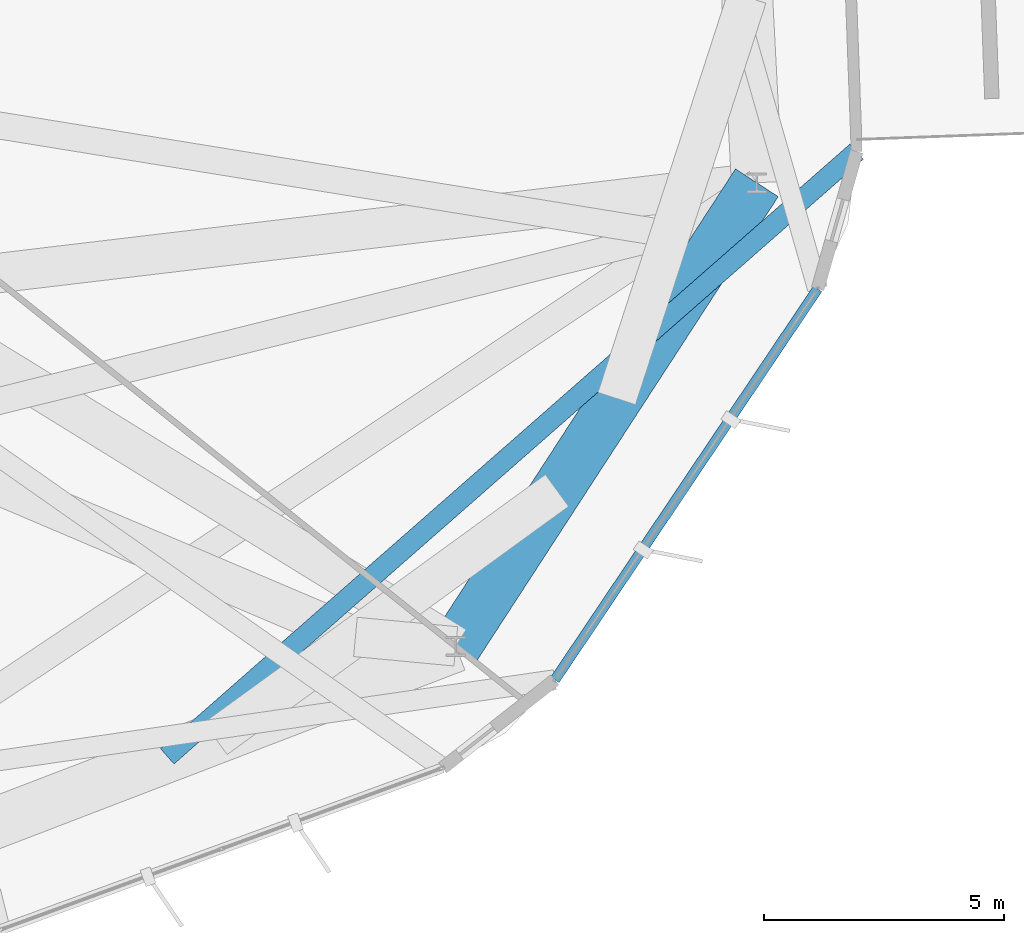
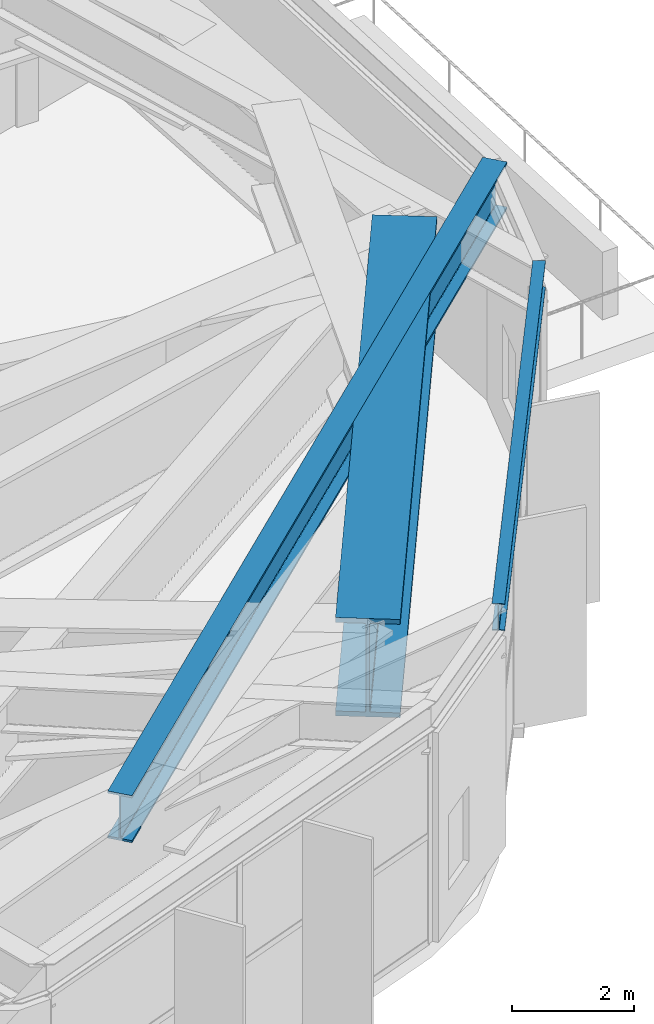
# One storey, part 14 of 30: 3 beams.
"""IFC4 building model written with IfcOpenShell, lengths in metres."""

import ifcopenshell
import ifcopenshell.guid

model = None  # the IFC model being written
_history = None  # IfcOwnerHistory: only IFC2X3 demands one
_inside = {}  # id of a spatial element -> (the spatial element, [elements in it])
_under = {}  # id of a project, library or spatial element -> (it, [spatial elements below it])
_declared = {}  # id of a project -> (the project, [libraries it declares])
_typed = {}  # id of a type object -> (the type object, [elements of that type])
_made_of = {}  # id of a material, layer set ... -> (it, [elements and type objects made of it])


def new_model(schema):
    """Start an empty IFC model of exactly this schema.

    Asked for "IFC4X3", IfcOpenShell would pick the latest addendum, in which some entities
    have other attributes; the version numbers below select the first issue.
    IFC2X3 requires an IfcOwnerHistory on every rooted entity: one is made here for all.
    """
    global model, _history
    if schema == "IFC4X3":
        model = ifcopenshell.file(schema_version=(4, 3, 0, 0))
    else:
        model = ifcopenshell.file(schema=schema)
    _inside.clear()
    _under.clear()
    _declared.clear()
    _typed.clear()
    _made_of.clear()
    _history = None
    if model.schema == "IFC2X3":
        org = make("IfcOrganization", Name="unknown")
        user = make(
            "IfcPersonAndOrganization",
            ThePerson=make("IfcPerson", FamilyName="unknown"),
            TheOrganization=org,
        )
        app = make(
            "IfcApplication",
            ApplicationDeveloper=org,
            Version="unknown",
            ApplicationFullName="unknown",
            ApplicationIdentifier="unknown",
        )
        _history = make(
            "IfcOwnerHistory",
            OwningUser=user,
            OwningApplication=app,
            ChangeAction="ADDED",
            CreationDate=0,
        )
    return model


def make(cls, **values):
    """One entity of the class cls with the attributes given. An attribute that is None is left unset."""
    return model.create_entity(
        cls, **{name: value for name, value in values.items() if value is not None}
    )


def rooted(cls, **values):
    """An entity with a GlobalId (a new one), such as an element, a storey or a relation."""
    return make(cls, GlobalId=ifcopenshell.guid.new(), OwnerHistory=_history, **values)


def si_unit(unit_type, name, prefix=None):
    """IfcSIUnit, for example si_unit("LENGTHUNIT", "METRE", prefix="MILLI")."""
    return make("IfcSIUnit", UnitType=unit_type, Prefix=prefix, Name=name)


def assignment(units):
    """IfcUnitAssignment: the units of a project."""
    return None if units is None else make("IfcUnitAssignment", Units=units)


def point(xyz):
    """IfcCartesianPoint."""
    return None if xyz is None else make("IfcCartesianPoint", Coordinates=xyz)


def direction(xyz):
    """IfcDirection."""
    return None if xyz is None else make("IfcDirection", DirectionRatios=xyz)


def frame(location, z_axis=None, x_axis=None):
    """IfcAxis2Placement3D, a coordinate frame: its origin and axes. An axis left out is left unset."""
    return make(
        "IfcAxis2Placement3D",
        Location=point(location),
        Axis=direction(z_axis),
        RefDirection=direction(x_axis),
    )


def frame_2d(location, x_axis=None):
    """IfcAxis2Placement2D, a coordinate frame in the plane: its origin and x axis."""
    return make(
        "IfcAxis2Placement2D", Location=point(location), RefDirection=direction(x_axis)
    )


def origin():
    """The frame at (0, 0, 0) with its axes left unset."""
    return frame((0.0, 0.0, 0.0))


def origin_2d():
    """The frame at (0, 0) in the plane with its x axis left unset."""
    return frame_2d((0.0, 0.0))


def place(relative_to, where):
    """IfcLocalPlacement: puts the frame where relative to a parent placement (None: the world)."""
    return make(
        "IfcLocalPlacement", PlacementRelTo=relative_to, RelativePlacement=where
    )


def context(
    kind, dimensions, precision=None, world=None, true_north=None, identifier=None
):
    """IfcGeometricRepresentationContext, for example the 3D "Model" context."""
    return make(
        "IfcGeometricRepresentationContext",
        ContextIdentifier=identifier,
        ContextType=kind,
        CoordinateSpaceDimension=dimensions,
        Precision=precision,
        WorldCoordinateSystem=world,
        TrueNorth=true_north,
    )


def subcontext(parent, identifier, kind, view, scale=None):
    """IfcGeometricRepresentationSubContext, for example "Body" below "Model"."""
    return make(
        "IfcGeometricRepresentationSubContext",
        ContextIdentifier=identifier,
        ContextType=kind,
        ParentContext=parent,
        TargetScale=scale,
        TargetView=view,
    )


def project(units=None, contexts=None):
    """IfcProject with its units and contexts."""
    return rooted(
        "IfcProject",
        Name="project",
        RepresentationContexts=contexts,
        UnitsInContext=assignment(units),
    )


def spatial(cls, under=None, at=None, **own):
    """A site, building, storey or space (cls), placed at a placement, below another one or the project."""
    s = rooted(cls, ObjectPlacement=at, **own)
    if under is not None:
        _under.setdefault(under.id(), (under, []))[1].append(s)
    return s


def profile(cls, at=None, kind="AREA", **sizes):
    """A parametric profile (cls). Its sizes go by their IFC names, for example OverallWidth=200.0."""
    return make(cls, ProfileType=kind, Position=at, **sizes)


def i_section(**sizes):
    """IfcIShapeProfileDef."""
    return profile("IfcIShapeProfileDef", **sizes)


def extrude(swept, where, along, depth):
    """IfcExtrudedAreaSolid: the profile swept, set in the frame where, extruded along a direction by depth."""
    return make(
        "IfcExtrudedAreaSolid",
        SweptArea=swept,
        Position=where,
        ExtrudedDirection=direction(along),
        Depth=depth,
    )


def shape(context_of_items, identifier, shape_type, items):
    """IfcShapeRepresentation: the items that make up one representation, for example the "Body"."""
    return make(
        "IfcShapeRepresentation",
        ContextOfItems=context_of_items,
        RepresentationIdentifier=identifier,
        RepresentationType=shape_type,
        Items=items,
    )


def material(Name=None, Category=None):
    """IfcMaterial."""
    return make("IfcMaterial", Name=Name, Category=Category)


def material_profile(
    of_material, cross_section, Name=None, Category=None, Priority=None
):
    """IfcMaterialProfile: a cross section and its material."""
    return make(
        "IfcMaterialProfile",
        Name=Name,
        Material=of_material,
        Profile=cross_section,
        Priority=Priority,
        Category=Category,
    )


def profile_set(profiles, Name=None, composite=None):
    """IfcMaterialProfileSet."""
    return make(
        "IfcMaterialProfileSet",
        Name=Name,
        MaterialProfiles=profiles,
        CompositeProfile=composite,
    )


def made_of(thing, what):
    """Note that an element or type object is made of a material, layer set ...; save() writes the relation."""
    if what is not None:
        _made_of.setdefault(what.id(), (what, []))[1].append(thing)
    return thing


def type_object(cls, material=None, **own):
    """A type object (cls), such as IfcWallType, which elements share."""
    return made_of(rooted(cls, **own), material)


def element(
    cls,
    number,
    at=None,
    inside=None,
    cuts=None,
    type_object=None,
    material=None,
    context=None,
    identifier="Body",
    shape_type=None,
    held_by="IfcProductDefinitionShape",
    body=None,
    shapes=None,
    **own,
):
    """One element of the class cls, such as IfcWall. Its Tag is "e" and its number.

    at: its placement. inside: the storey or other place that contains it. cuts: it is an
    opening in that element (IfcRelVoidsElement). A single representation is given by context,
    identifier, shape_type and body (its items); several are given by shapes. held_by: the class
    of the entity that holds the representations. save() writes the other relations.
    """
    e = rooted(cls, Tag="e%d" % number, ObjectPlacement=at, **own)
    if body is not None:
        shapes = [shape(context, identifier, shape_type, body)]
    if shapes is not None:
        e.Representation = make(held_by, Representations=shapes)
    if inside is not None:
        _inside.setdefault(inside.id(), (inside, []))[1].append(e)
    if cuts is not None:
        rooted(
            "IfcRelVoidsElement", RelatingBuildingElement=cuts, RelatedOpeningElement=e
        )
    if type_object is not None:
        _typed.setdefault(type_object.id(), (type_object, []))[1].append(e)
    return made_of(e, material)


def aggregate(whole, parts):
    """IfcRelAggregates: a whole, such as a stair, and the parts it consists of."""
    return rooted("IfcRelAggregates", RelatingObject=whole, RelatedObjects=parts)


def save(model, path):
    """Write the relations noted so far, then the file.

    IfcRelAggregates (storeys below a building ...), IfcRelContainedInSpatialStructure (elements
    in a storey), IfcRelDefinesByType, IfcRelAssociatesMaterial and IfcRelDeclares: one each for
    every whole, place, type object, material and project.
    """
    for whole, parts in _under.values():
        aggregate(whole, parts)
    for where, things in _inside.values():
        rooted(
            "IfcRelContainedInSpatialStructure",
            RelatedElements=things,
            RelatingStructure=where,
        )
    for kind, things in _typed.values():
        rooted("IfcRelDefinesByType", RelatedObjects=things, RelatingType=kind)
    for what, things in _made_of.values():
        rooted("IfcRelAssociatesMaterial", RelatedObjects=things, RelatingMaterial=what)
    for by, libraries in _declared.values():
        rooted("IfcRelDeclares", RelatingContext=by, RelatedDefinitions=libraries)
    model.write(path)


model = new_model("IFC4")

# Units and contexts
model_context = context("Model", 3, precision=1e-05, world=origin(), true_north=direction((0.0, 1.0)))
body_context = subcontext(model_context, "Body", "Model", "MODEL_VIEW")
ifc_project = project(units=[si_unit("LENGTHUNIT", "METRE"), si_unit("AREAUNIT", "SQUARE_METRE"), si_unit("VOLUMEUNIT", "CUBIC_METRE"), si_unit("PLANEANGLEUNIT", "RADIAN"), si_unit("MASSUNIT", "GRAM", prefix="KILO")], contexts=[model_context])

# Site, building, storey
site_placement = place(None, origin())
site = spatial("IfcSite", under=ifc_project, at=site_placement, CompositionType="ELEMENT")
building_placement = place(site_placement, origin())
building = spatial("IfcBuilding", under=site, at=building_placement, Name="Soratama Intermodal Tower", CompositionType="ELEMENT")
storey_placement = place(building_placement, frame((0.0, 0.0, 237.39990234375)))
storey = spatial("IfcBuildingStorey", under=building, at=storey_placement, Name="L60", CompositionType="ELEMENT", Elevation=237.39990234375)

# Beams
ifc_material_1 = material(Name="Structural steel ASTM A992 Grade 50", Category="steel")
ifc_material_profile_1 = material_profile(ifc_material_1, i_section(OverallWidth=0.423095703125, OverallDepth=0.93896484375, WebThickness=0.02392578125, FlangeThickness=0.042724609375, FilletRadius=0.02392578125, at=origin_2d()), Name="W36X302")
ifc_profile_set_1 = profile_set([ifc_material_profile_1], Name="Structural steel ASTM A992 Grade 50")
beam_type_1 = type_object("IfcBeamType", Name="BM-POD-W36X302", PredefinedType="BEAM", material=ifc_profile_set_1)
beam_1_placement = place(storey_placement, frame((50.705078125, 8.257080078125, 4.33056640625), z_axis=(0.75178950632, 0.659403168166, 0.0), x_axis=(-0.659403168166, 0.75178950632, 0.0)))
element("IfcBeam", 1, at=beam_1_placement, inside=storey, type_object=beam_type_1, Name="BM-L60-TIE0-09", PredefinedType="BEAM", context=body_context, shape_type="SweptSolid", body=[
    extrude(i_section(OverallWidth=0.423095703125, OverallDepth=0.93896484375, WebThickness=0.02392578125, FlangeThickness=0.042724609375, FilletRadius=0.02392578125, at=origin_2d()), origin(), (0.0, 0.0, 1.0), 19.07177734375),
])
ifc_material_2 = material(Name="Structural steel ASTM A992 Grade 50", Category="steel")
ifc_material_profile_2 = material_profile(ifc_material_2, i_section(OverallWidth=0.2099609375, OverallDepth=0.537109375, WebThickness=0.010986328125, FlangeThickness=0.017333984375, FilletRadius=0.012939453125, at=origin_2d()), Name="W21X68")
ifc_profile_set_2 = profile_set([ifc_material_profile_2], Name="Structural steel ASTM A992 Grade 50")
beam_type_2 = type_object("IfcBeamType", Name="BM-SPN-W21X68", PredefinedType="SPANDREL", material=ifc_profile_set_2)
beam_2_placement = place(storey_placement, frame((58.76611328125, 9.847900390625, 4.531494140625), z_axis=(0.55776709731, 0.829997509128, 0.0), x_axis=(-0.829997509128, 0.55776709731, 0.0)))
element("IfcBeam", 2, at=beam_2_placement, inside=storey, type_object=beam_type_2, Name="BS-L60-F08", PredefinedType="SPANDREL", context=body_context, shape_type="SweptSolid", body=[
    extrude(i_section(OverallWidth=0.2099609375, OverallDepth=0.537109375, WebThickness=0.010986328125, FlangeThickness=0.017333984375, FilletRadius=0.012939453125, at=origin_2d()), origin(), (0.0, 0.0, 1.0), 9.797607421875),
])
ifc_material_3 = material(Name="Structural steel ASTM A992 Grade 50", Category="steel")
ifc_material_profile_3 = material_profile(ifc_material_3, i_section(OverallWidth=1.06005859375, OverallDepth=1.9599609375, WebThickness=0.05810546875, FlangeThickness=0.095947265625, FilletRadius=0.02392578125, at=origin_2d()), Name="PG2400X900")
ifc_profile_set_3 = profile_set([ifc_material_profile_3], Name="Structural steel ASTM A992 Grade 50")
beam_type_3 = type_object("IfcBeamType", Name="BM-ZSTEP-PG2400", PredefinedType="BEAM", material=ifc_profile_set_3)
beam_3_placement = place(storey_placement, frame((56.705078125, 10.544921875, 3.820068359375), z_axis=(0.544637453764, 0.83867159482, 0.0), x_axis=(-0.83867159482, 0.544637453764, 0.0)))
element("IfcBeam", 3, at=beam_3_placement, inside=storey, type_object=beam_type_3, Name="BM-L60-RING-09", PredefinedType="BEAM", context=body_context, shape_type="SweptSolid", body=[
    extrude(i_section(OverallWidth=1.06005859375, OverallDepth=1.9599609375, WebThickness=0.05810546875, FlangeThickness=0.095947265625, FilletRadius=0.02392578125, at=origin_2d()), origin(), (0.0, 0.0, 1.0), 11.49560546875),
])

save(model, "model.ifc")
